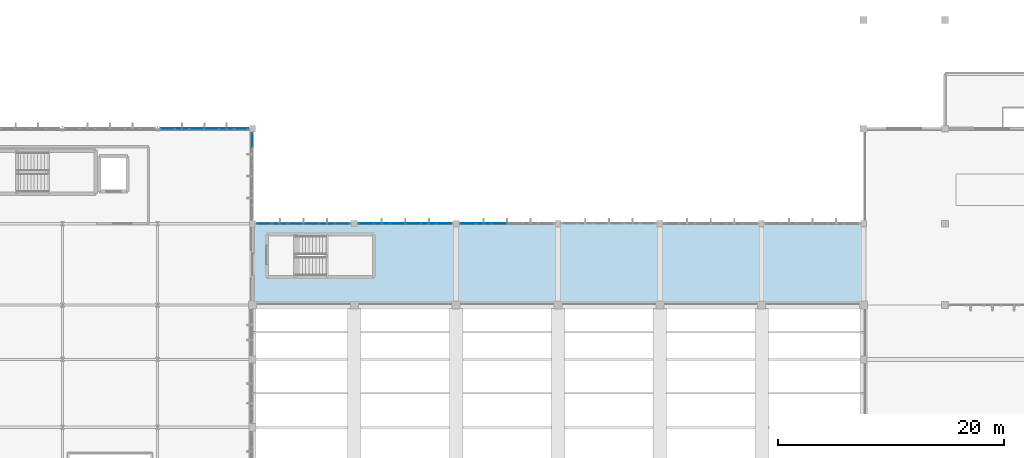
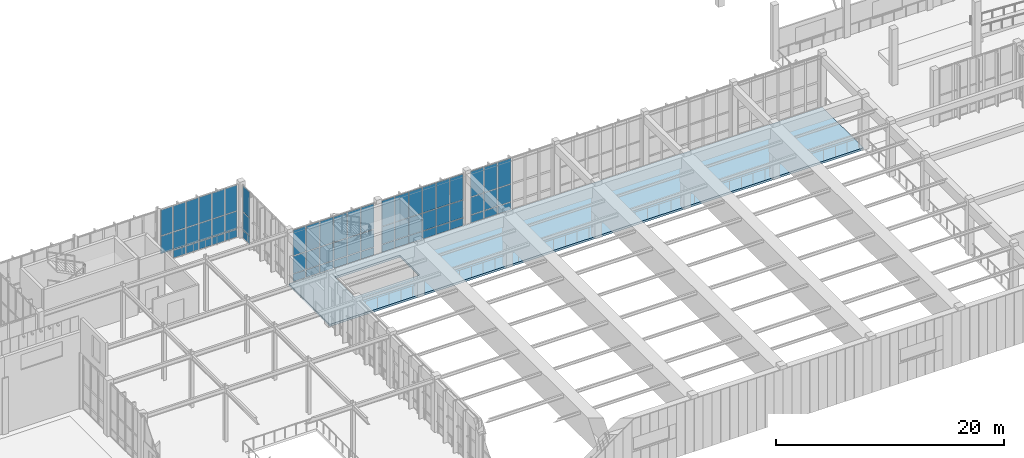
# One storey, part 63 of 105: 65 plates, 1 slab, 5 elements without a shape of their own.
"""IFC4 building model written with IfcOpenShell, lengths in metres."""

from ifc_helpers import new_model, si_unit, direction, frame, origin, origin_2d, place, context, subcontext, project, spatial, polyline, rectangle, outline, extrude, material, layer, layer_set, type_object, element, aggregate, save


model = new_model("IFC4")

# Units and contexts
model_context = context("Model", 3, precision=1e-05, world=origin(), true_north=direction((0.0, 1.0)))
body_context = subcontext(model_context, "Body", "Model", "MODEL_VIEW")
ifc_project = project(units=[si_unit("LENGTHUNIT", "METRE"), si_unit("AREAUNIT", "SQUARE_METRE"), si_unit("VOLUMEUNIT", "CUBIC_METRE"), si_unit("PLANEANGLEUNIT", "RADIAN"), si_unit("MASSUNIT", "GRAM", prefix="KILO")], contexts=[model_context])

# Site, building, storey
site_placement = place(None, origin())
site = spatial("IfcSite", under=ifc_project, at=site_placement, CompositionType="ELEMENT")
building_placement = place(site_placement, origin())
building = spatial("IfcBuilding", under=site, at=building_placement, Name="Tizgana Railside Sports Hall", CompositionType="ELEMENT")
storey_placement = place(building_placement, frame((0.0, 0.0, 6.0)))
storey = spatial("IfcBuildingStorey", under=building, at=storey_placement, Name="L01", CompositionType="ELEMENT", Elevation=6.0)

# Curtain wall, plates
ifc_material_1 = material(Name="Anodised aluminium and glass", Category="aluminium")
curtain_wall_type_1 = type_object("IfcCurtainWallType", Name="Unitised Curtain Wall Passage 1800", PredefinedType="NOTDEFINED", material=ifc_material_1)
curtain_wall_1_placement = place(storey_placement, origin())
curtain_wall_1 = element("IfcCurtainWall", 1, at=curtain_wall_1_placement, inside=storey, type_object=curtain_wall_type_1, Name="L01 Curtain Wall CW-0021", PredefinedType="NOTDEFINED")
ifc_material_2 = material(Name="Double low-E laminated glass", Category="glass")
ifc_layer_1 = layer(ifc_material_2, 0.033935546875, Name="Double low-E laminated glass")
ifc_layer_set_1 = layer_set([ifc_layer_1], Name="Double low-E laminated glass")
plate_type_1 = type_object("IfcPlateType", Name="Acoustic Laminated Glazing Panel 34", PredefinedType="CURTAIN_PANEL", material=ifc_layer_set_1)
plate_1_placement = place(storey_placement, frame((98.84130859375, 80.39990234375, 0.06494140625), z_axis=(0.0, 0.0, 1.0), x_axis=(1.0, 0.0, 0.0)))
plate_1 = element("IfcPlate", 2, at=plate_1_placement, type_object=plate_type_1, Name="CW-06 panel 1.1", PredefinedType="CURTAIN_PANEL", context=body_context, shape_type="SweptSolid", body=[
    extrude(rectangle(XDim=1.29248046875, YDim=0.033935546875, at=origin_2d()), origin(), (0.0, 0.0, 1.0), 0.802490234375),
])
plate_2_placement = place(storey_placement, frame((98.84130859375, 80.39990234375, 0.9326171875), z_axis=(0.0, 0.0, 1.0), x_axis=(1.0, 0.0, 0.0)))
plate_2 = element("IfcPlate", 3, at=plate_2_placement, type_object=plate_type_1, Name="CW-06 panel 1.2", PredefinedType="CURTAIN_PANEL", context=body_context, shape_type="SweptSolid", body=[
    extrude(rectangle(XDim=1.29248046875, YDim=0.033935546875, at=origin_2d()), origin(), (0.0, 0.0, 1.0), 1.85498046875),
])
plate_3_placement = place(storey_placement, frame((98.84130859375, 80.39990234375, 2.8525390625), z_axis=(0.0, 0.0, 1.0), x_axis=(1.0, 0.0, 0.0)))
plate_3 = element("IfcPlate", 4, at=plate_3_placement, type_object=plate_type_1, Name="CW-06 panel 1.3", PredefinedType="CURTAIN_PANEL", context=body_context, shape_type="SweptSolid", body=[
    extrude(rectangle(XDim=1.29248046875, YDim=0.033935546875, at=origin_2d()), origin(), (0.0, 0.0, 1.0), 2.722412109375),
])
plate_4_placement = place(storey_placement, frame((100.215087890625, 80.39990234375, 0.06494140625), z_axis=(0.0, 0.0, 1.0), x_axis=(1.0, 0.0, 0.0)))
plate_4 = element("IfcPlate", 5, at=plate_4_placement, type_object=plate_type_1, Name="CW-06 panel 2.1", PredefinedType="CURTAIN_PANEL", context=body_context, shape_type="SweptSolid", body=[
    extrude(rectangle(XDim=1.324951171875, YDim=0.033935546875, at=origin_2d()), origin(), (0.0, 0.0, 1.0), 0.802490234375),
])
plate_5_placement = place(storey_placement, frame((100.215087890625, 80.39990234375, 0.9326171875), z_axis=(0.0, 0.0, 1.0), x_axis=(1.0, 0.0, 0.0)))
plate_5 = element("IfcPlate", 6, at=plate_5_placement, type_object=plate_type_1, Name="CW-06 panel 2.2", PredefinedType="CURTAIN_PANEL", context=body_context, shape_type="SweptSolid", body=[
    extrude(rectangle(XDim=1.324951171875, YDim=0.033935546875, at=origin_2d()), origin(), (0.0, 0.0, 1.0), 1.85498046875),
])
plate_6_placement = place(storey_placement, frame((100.215087890625, 80.39990234375, 2.8525390625), z_axis=(0.0, 0.0, 1.0), x_axis=(1.0, 0.0, 0.0)))
plate_6 = element("IfcPlate", 7, at=plate_6_placement, type_object=plate_type_1, Name="CW-06 panel 2.3", PredefinedType="CURTAIN_PANEL", context=body_context, shape_type="SweptSolid", body=[
    extrude(rectangle(XDim=1.324951171875, YDim=0.033935546875, at=origin_2d()), origin(), (0.0, 0.0, 1.0), 2.722412109375),
])
plate_7_placement = place(storey_placement, frame((101.60498046875, 80.39990234375, 0.06494140625), z_axis=(0.0, 0.0, 1.0), x_axis=(1.0, 0.0, 0.0)))
plate_7 = element("IfcPlate", 8, at=plate_7_placement, type_object=plate_type_1, Name="CW-06 panel 3.1", PredefinedType="CURTAIN_PANEL", context=body_context, shape_type="SweptSolid", body=[
    extrude(rectangle(XDim=1.324951171875, YDim=0.033935546875, at=origin_2d()), origin(), (0.0, 0.0, 1.0), 0.802490234375),
])
plate_8_placement = place(storey_placement, frame((101.60498046875, 80.39990234375, 0.9326171875), z_axis=(0.0, 0.0, 1.0), x_axis=(1.0, 0.0, 0.0)))
plate_8 = element("IfcPlate", 9, at=plate_8_placement, type_object=plate_type_1, Name="CW-06 panel 3.2", PredefinedType="CURTAIN_PANEL", context=body_context, shape_type="SweptSolid", body=[
    extrude(rectangle(XDim=1.324951171875, YDim=0.033935546875, at=origin_2d()), origin(), (0.0, 0.0, 1.0), 1.85498046875),
])
plate_9_placement = place(storey_placement, frame((101.60498046875, 80.39990234375, 2.8525390625), z_axis=(0.0, 0.0, 1.0), x_axis=(1.0, 0.0, 0.0)))
plate_9 = element("IfcPlate", 10, at=plate_9_placement, type_object=plate_type_1, Name="CW-06 panel 3.3", PredefinedType="CURTAIN_PANEL", context=body_context, shape_type="SweptSolid", body=[
    extrude(rectangle(XDim=1.324951171875, YDim=0.033935546875, at=origin_2d()), origin(), (0.0, 0.0, 1.0), 2.722412109375),
])
aggregate(curtain_wall_1, [plate_1, plate_2, plate_3, plate_4, plate_5, plate_6, plate_7, plate_8, plate_9])

curtain_wall_type_2 = type_object("IfcCurtainWallType", Name="Unitised Curtain Wall Foyer 1300", PredefinedType="NOTDEFINED", material=ifc_material_1)
curtain_wall_2_placement = place(storey_placement, origin())
curtain_wall_2 = element("IfcCurtainWall", 11, at=curtain_wall_2_placement, inside=storey, type_object=curtain_wall_type_2, Name="L01 Curtain Wall CW-0169", PredefinedType="NOTDEFINED")
plate_10_placement = place(storey_placement, frame((79.800048828125, 87.81005859375, 0.06005859375), z_axis=(0.0, 0.0, 1.0), x_axis=(0.0, 1.0, 0.0)))
plate_10 = element("IfcPlate", 12, at=plate_10_placement, type_object=plate_type_1, Name="CW-02 panel 6.1", PredefinedType="CURTAIN_PANEL", context=body_context, shape_type="SweptSolid", body=[
    extrude(rectangle(XDim=1.199951171875, YDim=0.033935546875, at=origin_2d()), origin(), (0.0, 0.0, 1.0), 0.81005859375),
])
plate_11_placement = place(storey_placement, frame((79.800048828125, 87.81005859375, 0.93017578125), z_axis=(0.0, 0.0, 1.0), x_axis=(0.0, 1.0, 0.0)))
plate_11 = element("IfcPlate", 13, at=plate_11_placement, type_object=plate_type_1, Name="CW-02 panel 6.2", PredefinedType="CURTAIN_PANEL", context=body_context, shape_type="SweptSolid", body=[
    extrude(rectangle(XDim=1.199951171875, YDim=0.033935546875, at=origin_2d()), origin(), (0.0, 0.0, 1.0), 1.885009765625),
])
plate_12_placement = place(storey_placement, frame((79.800048828125, 87.81005859375, 2.875), z_axis=(0.0, 0.0, 1.0), x_axis=(0.0, 1.0, 0.0)))
plate_12 = element("IfcPlate", 14, at=plate_12_placement, type_object=plate_type_1, Name="CW-02 panel 6.3", PredefinedType="CURTAIN_PANEL", context=body_context, shape_type="SweptSolid", body=[
    extrude(rectangle(XDim=1.199951171875, YDim=0.033935546875, at=origin_2d()), origin(), (0.0, 0.0, 1.0), 2.7548828125),
])
aggregate(curtain_wall_2, [plate_10, plate_11, plate_12])

curtain_wall_type_3 = type_object("IfcCurtainWallType", Name="Unitised Curtain Wall Studio 1400", PredefinedType="NOTDEFINED", material=ifc_material_1)
curtain_wall_3_placement = place(storey_placement, origin())
curtain_wall_3 = element("IfcCurtainWall", 15, at=curtain_wall_3_placement, inside=storey, type_object=curtain_wall_type_3, Name="L01 Curtain Wall CW-0018", PredefinedType="NOTDEFINED")
ifc_layer_2 = layer(ifc_material_2, 0.0400390625, Name="Double low-E laminated glass")
ifc_layer_set_2 = layer_set([ifc_layer_2], Name="Double low-E laminated glass")
plate_type_2 = type_object("IfcPlateType", Name="High-Span Tempered Glazing Panel 40", PredefinedType="CURTAIN_PANEL", material=ifc_layer_set_2)
plate_13_placement = place(storey_placement, frame((89.840087890625, 80.39990234375, 0.06005859375), z_axis=(0.0, 0.0, 1.0), x_axis=(1.0, 0.0, 0.0)))
plate_13 = element("IfcPlate", 16, at=plate_13_placement, type_object=plate_type_2, Name="CW-03 panel 1.1", PredefinedType="CURTAIN_PANEL", context=body_context, shape_type="SweptSolid", body=[
    extrude(rectangle(XDim=1.300048828125, YDim=0.0400390625, at=origin_2d()), origin(), (0.0, 0.0, 1.0), 0.81005859375),
])
plate_14_placement = place(storey_placement, frame((89.840087890625, 80.39990234375, 0.93017578125), z_axis=(0.0, 0.0, 1.0), x_axis=(1.0, 0.0, 0.0)))
plate_14 = element("IfcPlate", 17, at=plate_14_placement, type_object=plate_type_2, Name="CW-03 panel 1.2", PredefinedType="CURTAIN_PANEL", context=body_context, shape_type="SweptSolid", body=[
    extrude(rectangle(XDim=1.300048828125, YDim=0.0400390625, at=origin_2d()), origin(), (0.0, 0.0, 1.0), 1.860107421875),
])
plate_15_placement = place(storey_placement, frame((89.840087890625, 80.39990234375, 2.85009765625), z_axis=(0.0, 0.0, 1.0), x_axis=(1.0, 0.0, 0.0)))
plate_15 = element("IfcPlate", 18, at=plate_15_placement, type_object=plate_type_2, Name="CW-03 panel 1.3", PredefinedType="CURTAIN_PANEL", context=body_context, shape_type="SweptSolid", body=[
    extrude(rectangle(XDim=1.300048828125, YDim=0.0400390625, at=origin_2d()), origin(), (0.0, 0.0, 1.0), 2.72998046875),
])
plate_16_placement = place(storey_placement, frame((91.215087890625, 80.39990234375, 0.06005859375), z_axis=(0.0, 0.0, 1.0), x_axis=(1.0, 0.0, 0.0)))
plate_16 = element("IfcPlate", 19, at=plate_16_placement, type_object=plate_type_2, Name="CW-03 panel 2.1", PredefinedType="CURTAIN_PANEL", context=body_context, shape_type="SweptSolid", body=[
    extrude(rectangle(XDim=1.330078125, YDim=0.0400390625, at=origin_2d()), origin(), (0.0, 0.0, 1.0), 0.81005859375),
])
plate_17_placement = place(storey_placement, frame((91.215087890625, 80.39990234375, 0.93017578125), z_axis=(0.0, 0.0, 1.0), x_axis=(1.0, 0.0, 0.0)))
plate_17 = element("IfcPlate", 20, at=plate_17_placement, type_object=plate_type_2, Name="CW-03 panel 2.2", PredefinedType="CURTAIN_PANEL", context=body_context, shape_type="SweptSolid", body=[
    extrude(rectangle(XDim=1.330078125, YDim=0.0400390625, at=origin_2d()), origin(), (0.0, 0.0, 1.0), 1.860107421875),
])
plate_18_placement = place(storey_placement, frame((91.215087890625, 80.39990234375, 2.85009765625), z_axis=(0.0, 0.0, 1.0), x_axis=(1.0, 0.0, 0.0)))
plate_18 = element("IfcPlate", 21, at=plate_18_placement, type_object=plate_type_2, Name="CW-03 panel 2.3", PredefinedType="CURTAIN_PANEL", context=body_context, shape_type="SweptSolid", body=[
    extrude(rectangle(XDim=1.330078125, YDim=0.0400390625, at=origin_2d()), origin(), (0.0, 0.0, 1.0), 2.72998046875),
])
plate_19_placement = place(storey_placement, frame((92.60498046875, 80.39990234375, 0.06005859375), z_axis=(0.0, 0.0, 1.0), x_axis=(1.0, 0.0, 0.0)))
plate_19 = element("IfcPlate", 22, at=plate_19_placement, type_object=plate_type_2, Name="CW-03 panel 3.1", PredefinedType="CURTAIN_PANEL", context=body_context, shape_type="SweptSolid", body=[
    extrude(rectangle(XDim=1.330078125, YDim=0.0400390625, at=origin_2d()), origin(), (0.0, 0.0, 1.0), 0.81005859375),
])
plate_20_placement = place(storey_placement, frame((92.60498046875, 80.39990234375, 0.93017578125), z_axis=(0.0, 0.0, 1.0), x_axis=(1.0, 0.0, 0.0)))
plate_20 = element("IfcPlate", 23, at=plate_20_placement, type_object=plate_type_2, Name="CW-03 panel 3.2", PredefinedType="CURTAIN_PANEL", context=body_context, shape_type="SweptSolid", body=[
    extrude(rectangle(XDim=1.330078125, YDim=0.0400390625, at=origin_2d()), origin(), (0.0, 0.0, 1.0), 1.860107421875),
])
plate_21_placement = place(storey_placement, frame((92.60498046875, 80.39990234375, 2.85009765625), z_axis=(0.0, 0.0, 1.0), x_axis=(1.0, 0.0, 0.0)))
plate_21 = element("IfcPlate", 24, at=plate_21_placement, type_object=plate_type_2, Name="CW-03 panel 3.3", PredefinedType="CURTAIN_PANEL", context=body_context, shape_type="SweptSolid", body=[
    extrude(rectangle(XDim=1.330078125, YDim=0.0400390625, at=origin_2d()), origin(), (0.0, 0.0, 1.0), 2.72998046875),
])
plate_22_placement = place(storey_placement, frame((93.9951171875, 80.39990234375, 0.06005859375), z_axis=(0.0, 0.0, 1.0), x_axis=(1.0, 0.0, 0.0)))
plate_22 = element("IfcPlate", 25, at=plate_22_placement, type_object=plate_type_2, Name="CW-03 panel 4.1", PredefinedType="CURTAIN_PANEL", context=body_context, shape_type="SweptSolid", body=[
    extrude(rectangle(XDim=1.330078125, YDim=0.0400390625, at=origin_2d()), origin(), (0.0, 0.0, 1.0), 0.81005859375),
])
plate_23_placement = place(storey_placement, frame((93.9951171875, 80.39990234375, 0.93017578125), z_axis=(0.0, 0.0, 1.0), x_axis=(1.0, 0.0, 0.0)))
plate_23 = element("IfcPlate", 26, at=plate_23_placement, type_object=plate_type_2, Name="CW-03 panel 4.2", PredefinedType="CURTAIN_PANEL", context=body_context, shape_type="SweptSolid", body=[
    extrude(rectangle(XDim=1.330078125, YDim=0.0400390625, at=origin_2d()), origin(), (0.0, 0.0, 1.0), 1.860107421875),
])
plate_24_placement = place(storey_placement, frame((93.9951171875, 80.39990234375, 2.85009765625), z_axis=(0.0, 0.0, 1.0), x_axis=(1.0, 0.0, 0.0)))
plate_24 = element("IfcPlate", 27, at=plate_24_placement, type_object=plate_type_2, Name="CW-03 panel 4.3", PredefinedType="CURTAIN_PANEL", context=body_context, shape_type="SweptSolid", body=[
    extrude(rectangle(XDim=1.330078125, YDim=0.0400390625, at=origin_2d()), origin(), (0.0, 0.0, 1.0), 2.72998046875),
])
plate_25_placement = place(storey_placement, frame((95.385009765625, 80.39990234375, 0.06005859375), z_axis=(0.0, 0.0, 1.0), x_axis=(1.0, 0.0, 0.0)))
plate_25 = element("IfcPlate", 28, at=plate_25_placement, type_object=plate_type_2, Name="CW-03 panel 5.1", PredefinedType="CURTAIN_PANEL", context=body_context, shape_type="SweptSolid", body=[
    extrude(rectangle(XDim=1.330078125, YDim=0.0400390625, at=origin_2d()), origin(), (0.0, 0.0, 1.0), 0.81005859375),
])
plate_26_placement = place(storey_placement, frame((95.385009765625, 80.39990234375, 0.93017578125), z_axis=(0.0, 0.0, 1.0), x_axis=(1.0, 0.0, 0.0)))
plate_26 = element("IfcPlate", 29, at=plate_26_placement, type_object=plate_type_2, Name="CW-03 panel 5.2", PredefinedType="CURTAIN_PANEL", context=body_context, shape_type="SweptSolid", body=[
    extrude(rectangle(XDim=1.330078125, YDim=0.0400390625, at=origin_2d()), origin(), (0.0, 0.0, 1.0), 1.860107421875),
])
plate_27_placement = place(storey_placement, frame((95.385009765625, 80.39990234375, 2.85009765625), z_axis=(0.0, 0.0, 1.0), x_axis=(1.0, 0.0, 0.0)))
plate_27 = element("IfcPlate", 30, at=plate_27_placement, type_object=plate_type_2, Name="CW-03 panel 5.3", PredefinedType="CURTAIN_PANEL", context=body_context, shape_type="SweptSolid", body=[
    extrude(rectangle(XDim=1.330078125, YDim=0.0400390625, at=origin_2d()), origin(), (0.0, 0.0, 1.0), 2.72998046875),
])
plate_28_placement = place(storey_placement, frame((96.760009765625, 80.39990234375, 0.06005859375), z_axis=(0.0, 0.0, 1.0), x_axis=(1.0, 0.0, 0.0)))
plate_28 = element("IfcPlate", 31, at=plate_28_placement, type_object=plate_type_2, Name="CW-03 panel 6.1", PredefinedType="CURTAIN_PANEL", context=body_context, shape_type="SweptSolid", body=[
    extrude(rectangle(XDim=1.300048828125, YDim=0.0400390625, at=origin_2d()), origin(), (0.0, 0.0, 1.0), 0.81005859375),
])
plate_29_placement = place(storey_placement, frame((96.760009765625, 80.39990234375, 0.93017578125), z_axis=(0.0, 0.0, 1.0), x_axis=(1.0, 0.0, 0.0)))
plate_29 = element("IfcPlate", 32, at=plate_29_placement, type_object=plate_type_2, Name="CW-03 panel 6.2", PredefinedType="CURTAIN_PANEL", context=body_context, shape_type="SweptSolid", body=[
    extrude(rectangle(XDim=1.300048828125, YDim=0.0400390625, at=origin_2d()), origin(), (0.0, 0.0, 1.0), 1.860107421875),
])
plate_30_placement = place(storey_placement, frame((96.760009765625, 80.39990234375, 2.85009765625), z_axis=(0.0, 0.0, 1.0), x_axis=(1.0, 0.0, 0.0)))
plate_30 = element("IfcPlate", 33, at=plate_30_placement, type_object=plate_type_2, Name="CW-03 panel 6.3", PredefinedType="CURTAIN_PANEL", context=body_context, shape_type="SweptSolid", body=[
    extrude(rectangle(XDim=1.300048828125, YDim=0.0400390625, at=origin_2d()), origin(), (0.0, 0.0, 1.0), 2.72998046875),
])
aggregate(curtain_wall_3, [plate_13, plate_14, plate_15, plate_16, plate_17, plate_18, plate_19, plate_20, plate_21, plate_22, plate_23, plate_24, plate_25, plate_26, plate_27, plate_28, plate_29, plate_30])

curtain_wall_type_4 = type_object("IfcCurtainWallType", Name="Unitised Curtain Wall EastHall 1500", PredefinedType="NOTDEFINED", material=ifc_material_1)
curtain_wall_4_placement = place(storey_placement, origin())
curtain_wall_4 = element("IfcCurtainWall", 34, at=curtain_wall_4_placement, inside=storey, type_object=curtain_wall_type_4, Name="L01 Curtain Wall CW-0039", PredefinedType="NOTDEFINED")
ifc_layer_3 = layer(ifc_material_2, 0.031982421875, Name="Double low-E laminated glass")
ifc_layer_set_3 = layer_set([ifc_layer_3], Name="Double low-E laminated glass")
plate_type_3 = type_object("IfcPlateType", Name="North-Light Clerestory Glazing Panel 32", PredefinedType="CURTAIN_PANEL", material=ifc_layer_set_3)
plate_31_placement = place(storey_placement, frame((72.276611328125, 88.800048828125, 0.9326171875), z_axis=(0.0, 0.0, 1.0), x_axis=(1.0, 0.0, 0.0)))
plate_31 = element("IfcPlate", 35, at=plate_31_placement, type_object=plate_type_3, Name="CW-08 panel 1.2", PredefinedType="CURTAIN_PANEL", context=body_context, shape_type="SweptSolid", body=[
    extrude(rectangle(XDim=1.21337890625, YDim=0.031982421875, at=origin_2d()), origin(), (0.0, 0.0, 1.0), 1.8798828125),
])
plate_32_placement = place(storey_placement, frame((72.276611328125, 88.800048828125, 2.87744140625), z_axis=(0.0, 0.0, 1.0), x_axis=(1.0, 0.0, 0.0)))
plate_32 = element("IfcPlate", 36, at=plate_32_placement, type_object=plate_type_3, Name="CW-08 panel 1.3", PredefinedType="CURTAIN_PANEL", context=body_context, shape_type="SweptSolid", body=[
    extrude(rectangle(XDim=1.21337890625, YDim=0.031982421875, at=origin_2d()), origin(), (0.0, 0.0, 1.0), 2.74755859375),
])
plate_33_placement = place(storey_placement, frame((73.5712890625, 88.800048828125, 0.06494140625), z_axis=(0.0, 0.0, 1.0), x_axis=(1.0, 0.0, 0.0)))
plate_33 = element("IfcPlate", 37, at=plate_33_placement, type_object=plate_type_3, Name="CW-08 panel 2.1", PredefinedType="CURTAIN_PANEL", context=body_context, shape_type="SweptSolid", body=[
    extrude(rectangle(XDim=1.245849609375, YDim=0.031982421875, at=origin_2d()), origin(), (0.0, 0.0, 1.0), 0.802490234375),
])
plate_34_placement = place(storey_placement, frame((73.5712890625, 88.800048828125, 0.9326171875), z_axis=(0.0, 0.0, 1.0), x_axis=(1.0, 0.0, 0.0)))
plate_34 = element("IfcPlate", 38, at=plate_34_placement, type_object=plate_type_3, Name="CW-08 panel 2.2", PredefinedType="CURTAIN_PANEL", context=body_context, shape_type="SweptSolid", body=[
    extrude(rectangle(XDim=1.245849609375, YDim=0.031982421875, at=origin_2d()), origin(), (0.0, 0.0, 1.0), 1.8798828125),
])
plate_35_placement = place(storey_placement, frame((73.5712890625, 88.800048828125, 2.87744140625), z_axis=(0.0, 0.0, 1.0), x_axis=(1.0, 0.0, 0.0)))
plate_35 = element("IfcPlate", 39, at=plate_35_placement, type_object=plate_type_3, Name="CW-08 panel 2.3", PredefinedType="CURTAIN_PANEL", context=body_context, shape_type="SweptSolid", body=[
    extrude(rectangle(XDim=1.245849609375, YDim=0.031982421875, at=origin_2d()), origin(), (0.0, 0.0, 1.0), 2.74755859375),
])
plate_36_placement = place(storey_placement, frame((74.882080078125, 88.800048828125, 0.06494140625), z_axis=(0.0, 0.0, 1.0), x_axis=(1.0, 0.0, 0.0)))
plate_36 = element("IfcPlate", 40, at=plate_36_placement, type_object=plate_type_3, Name="CW-08 panel 3.1", PredefinedType="CURTAIN_PANEL", context=body_context, shape_type="SweptSolid", body=[
    extrude(rectangle(XDim=1.245849609375, YDim=0.031982421875, at=origin_2d()), origin(), (0.0, 0.0, 1.0), 0.802490234375),
])
plate_37_placement = place(storey_placement, frame((74.882080078125, 88.800048828125, 0.9326171875), z_axis=(0.0, 0.0, 1.0), x_axis=(1.0, 0.0, 0.0)))
plate_37 = element("IfcPlate", 41, at=plate_37_placement, type_object=plate_type_3, Name="CW-08 panel 3.2", PredefinedType="CURTAIN_PANEL", context=body_context, shape_type="SweptSolid", body=[
    extrude(rectangle(XDim=1.245849609375, YDim=0.031982421875, at=origin_2d()), origin(), (0.0, 0.0, 1.0), 1.8798828125),
])
plate_38_placement = place(storey_placement, frame((74.882080078125, 88.800048828125, 2.87744140625), z_axis=(0.0, 0.0, 1.0), x_axis=(1.0, 0.0, 0.0)))
plate_38 = element("IfcPlate", 42, at=plate_38_placement, type_object=plate_type_3, Name="CW-08 panel 3.3", PredefinedType="CURTAIN_PANEL", context=body_context, shape_type="SweptSolid", body=[
    extrude(rectangle(XDim=1.245849609375, YDim=0.031982421875, at=origin_2d()), origin(), (0.0, 0.0, 1.0), 2.74755859375),
])
plate_39_placement = place(storey_placement, frame((76.19287109375, 88.800048828125, 0.06494140625), z_axis=(0.0, 0.0, 1.0), x_axis=(1.0, 0.0, 0.0)))
plate_39 = element("IfcPlate", 43, at=plate_39_placement, type_object=plate_type_3, Name="CW-08 panel 4.1", PredefinedType="CURTAIN_PANEL", context=body_context, shape_type="SweptSolid", body=[
    extrude(rectangle(XDim=1.245849609375, YDim=0.031982421875, at=origin_2d()), origin(), (0.0, 0.0, 1.0), 0.802490234375),
])
plate_40_placement = place(storey_placement, frame((76.19287109375, 88.800048828125, 0.9326171875), z_axis=(0.0, 0.0, 1.0), x_axis=(1.0, 0.0, 0.0)))
plate_40 = element("IfcPlate", 44, at=plate_40_placement, type_object=plate_type_3, Name="CW-08 panel 4.2", PredefinedType="CURTAIN_PANEL", context=body_context, shape_type="SweptSolid", body=[
    extrude(rectangle(XDim=1.245849609375, YDim=0.031982421875, at=origin_2d()), origin(), (0.0, 0.0, 1.0), 1.8798828125),
])
plate_41_placement = place(storey_placement, frame((76.19287109375, 88.800048828125, 2.87744140625), z_axis=(0.0, 0.0, 1.0), x_axis=(1.0, 0.0, 0.0)))
plate_41 = element("IfcPlate", 45, at=plate_41_placement, type_object=plate_type_3, Name="CW-08 panel 4.3", PredefinedType="CURTAIN_PANEL", context=body_context, shape_type="SweptSolid", body=[
    extrude(rectangle(XDim=1.245849609375, YDim=0.031982421875, at=origin_2d()), origin(), (0.0, 0.0, 1.0), 2.74755859375),
])
plate_42_placement = place(storey_placement, frame((77.503662109375, 88.800048828125, 0.06494140625), z_axis=(0.0, 0.0, 1.0), x_axis=(1.0, 0.0, 0.0)))
plate_42 = element("IfcPlate", 46, at=plate_42_placement, type_object=plate_type_3, Name="CW-08 panel 5.1", PredefinedType="CURTAIN_PANEL", context=body_context, shape_type="SweptSolid", body=[
    extrude(rectangle(XDim=1.245849609375, YDim=0.031982421875, at=origin_2d()), origin(), (0.0, 0.0, 1.0), 0.802490234375),
])
plate_43_placement = place(storey_placement, frame((77.503662109375, 88.800048828125, 0.9326171875), z_axis=(0.0, 0.0, 1.0), x_axis=(1.0, 0.0, 0.0)))
plate_43 = element("IfcPlate", 47, at=plate_43_placement, type_object=plate_type_3, Name="CW-08 panel 5.2", PredefinedType="CURTAIN_PANEL", context=body_context, shape_type="SweptSolid", body=[
    extrude(rectangle(XDim=1.245849609375, YDim=0.031982421875, at=origin_2d()), origin(), (0.0, 0.0, 1.0), 1.8798828125),
])
plate_44_placement = place(storey_placement, frame((77.503662109375, 88.800048828125, 2.87744140625), z_axis=(0.0, 0.0, 1.0), x_axis=(1.0, 0.0, 0.0)))
plate_44 = element("IfcPlate", 48, at=plate_44_placement, type_object=plate_type_3, Name="CW-08 panel 5.3", PredefinedType="CURTAIN_PANEL", context=body_context, shape_type="SweptSolid", body=[
    extrude(rectangle(XDim=1.245849609375, YDim=0.031982421875, at=origin_2d()), origin(), (0.0, 0.0, 1.0), 2.74755859375),
])
plate_45_placement = place(storey_placement, frame((78.79833984375, 88.800048828125, 0.06494140625), z_axis=(0.0, 0.0, 1.0), x_axis=(1.0, 0.0, 0.0)))
plate_45 = element("IfcPlate", 49, at=plate_45_placement, type_object=plate_type_3, Name="CW-08 panel 6.1", PredefinedType="CURTAIN_PANEL", context=body_context, shape_type="SweptSolid", body=[
    extrude(rectangle(XDim=1.21337890625, YDim=0.031982421875, at=origin_2d()), origin(), (0.0, 0.0, 1.0), 0.802490234375),
])
plate_46_placement = place(storey_placement, frame((78.79833984375, 88.800048828125, 0.9326171875), z_axis=(0.0, 0.0, 1.0), x_axis=(1.0, 0.0, 0.0)))
plate_46 = element("IfcPlate", 50, at=plate_46_placement, type_object=plate_type_3, Name="CW-08 panel 6.2", PredefinedType="CURTAIN_PANEL", context=body_context, shape_type="SweptSolid", body=[
    extrude(rectangle(XDim=1.21337890625, YDim=0.031982421875, at=origin_2d()), origin(), (0.0, 0.0, 1.0), 1.8798828125),
])
plate_47_placement = place(storey_placement, frame((78.79833984375, 88.800048828125, 2.87744140625), z_axis=(0.0, 0.0, 1.0), x_axis=(1.0, 0.0, 0.0)))
plate_47 = element("IfcPlate", 51, at=plate_47_placement, type_object=plate_type_3, Name="CW-08 panel 6.3", PredefinedType="CURTAIN_PANEL", context=body_context, shape_type="SweptSolid", body=[
    extrude(rectangle(XDim=1.21337890625, YDim=0.031982421875, at=origin_2d()), origin(), (0.0, 0.0, 1.0), 2.74755859375),
])
aggregate(curtain_wall_4, [plate_31, plate_32, plate_33, plate_34, plate_35, plate_36, plate_37, plate_38, plate_39, plate_40, plate_41, plate_42, plate_43, plate_44, plate_45, plate_46, plate_47])

curtain_wall_type_5 = type_object("IfcCurtainWallType", Name="Unitised Curtain Wall Concourse 1500", PredefinedType="NOTDEFINED", material=ifc_material_1)
curtain_wall_5_placement = place(storey_placement, origin())
curtain_wall_5 = element("IfcCurtainWall", 52, at=curtain_wall_5_placement, inside=storey, type_object=curtain_wall_type_5, Name="L01 Curtain Wall CW-0016", PredefinedType="NOTDEFINED")
ifc_layer_4 = layer(ifc_material_2, 0.028076171875, Name="Double low-E laminated glass")
ifc_layer_set_4 = layer_set([ifc_layer_4], Name="Double low-E laminated glass")
plate_type_4 = type_object("IfcPlateType", Name="Solar Low-E Glazing Panel 28", PredefinedType="CURTAIN_PANEL", material=ifc_layer_set_4)
plate_48_placement = place(storey_placement, frame((80.842529296875, 80.39990234375, 0.070068359375), z_axis=(0.0, 0.0, 1.0), x_axis=(1.0, 0.0, 0.0)))
plate_48 = element("IfcPlate", 53, at=plate_48_placement, type_object=plate_type_4, Name="CW-01 panel 1.1", PredefinedType="CURTAIN_PANEL", context=body_context, shape_type="SweptSolid", body=[
    extrude(rectangle(XDim=1.284912109375, YDim=0.028076171875, at=origin_2d()), origin(), (0.0, 0.0, 1.0), 0.794921875),
])
plate_49_placement = place(storey_placement, frame((80.842529296875, 80.39990234375, 0.93505859375), z_axis=(0.0, 0.0, 1.0), x_axis=(1.0, 0.0, 0.0)))
plate_49 = element("IfcPlate", 54, at=plate_49_placement, type_object=plate_type_4, Name="CW-01 panel 1.2", PredefinedType="CURTAIN_PANEL", context=body_context, shape_type="SweptSolid", body=[
    extrude(rectangle(XDim=1.284912109375, YDim=0.028076171875, at=origin_2d()), origin(), (0.0, 0.0, 1.0), 1.85009765625),
])
plate_50_placement = place(storey_placement, frame((80.842529296875, 80.39990234375, 2.85498046875), z_axis=(0.0, 0.0, 1.0), x_axis=(1.0, 0.0, 0.0)))
plate_50 = element("IfcPlate", 55, at=plate_50_placement, type_object=plate_type_4, Name="CW-01 panel 1.3", PredefinedType="CURTAIN_PANEL", context=body_context, shape_type="SweptSolid", body=[
    extrude(rectangle(XDim=1.284912109375, YDim=0.028076171875, at=origin_2d()), origin(), (0.0, 0.0, 1.0), 2.715087890625),
])
plate_51_placement = place(storey_placement, frame((82.215087890625, 80.39990234375, 0.070068359375), z_axis=(0.0, 0.0, 1.0), x_axis=(1.0, 0.0, 0.0)))
plate_51 = element("IfcPlate", 56, at=plate_51_placement, type_object=plate_type_4, Name="CW-01 panel 2.1", PredefinedType="CURTAIN_PANEL", context=body_context, shape_type="SweptSolid", body=[
    extrude(rectangle(XDim=1.320068359375, YDim=0.028076171875, at=origin_2d()), origin(), (0.0, 0.0, 1.0), 0.794921875),
])
plate_52_placement = place(storey_placement, frame((82.215087890625, 80.39990234375, 0.93505859375), z_axis=(0.0, 0.0, 1.0), x_axis=(1.0, 0.0, 0.0)))
plate_52 = element("IfcPlate", 57, at=plate_52_placement, type_object=plate_type_4, Name="CW-01 panel 2.2", PredefinedType="CURTAIN_PANEL", context=body_context, shape_type="SweptSolid", body=[
    extrude(rectangle(XDim=1.320068359375, YDim=0.028076171875, at=origin_2d()), origin(), (0.0, 0.0, 1.0), 1.85009765625),
])
plate_53_placement = place(storey_placement, frame((82.215087890625, 80.39990234375, 2.85498046875), z_axis=(0.0, 0.0, 1.0), x_axis=(1.0, 0.0, 0.0)))
plate_53 = element("IfcPlate", 58, at=plate_53_placement, type_object=plate_type_4, Name="CW-01 panel 2.3", PredefinedType="CURTAIN_PANEL", context=body_context, shape_type="SweptSolid", body=[
    extrude(rectangle(XDim=1.320068359375, YDim=0.028076171875, at=origin_2d()), origin(), (0.0, 0.0, 1.0), 2.715087890625),
])
plate_54_placement = place(storey_placement, frame((83.60498046875, 80.39990234375, 0.070068359375), z_axis=(0.0, 0.0, 1.0), x_axis=(1.0, 0.0, 0.0)))
plate_54 = element("IfcPlate", 59, at=plate_54_placement, type_object=plate_type_4, Name="CW-01 panel 3.1", PredefinedType="CURTAIN_PANEL", context=body_context, shape_type="SweptSolid", body=[
    extrude(rectangle(XDim=1.320068359375, YDim=0.028076171875, at=origin_2d()), origin(), (0.0, 0.0, 1.0), 0.794921875),
])
plate_55_placement = place(storey_placement, frame((83.60498046875, 80.39990234375, 0.93505859375), z_axis=(0.0, 0.0, 1.0), x_axis=(1.0, 0.0, 0.0)))
plate_55 = element("IfcPlate", 60, at=plate_55_placement, type_object=plate_type_4, Name="CW-01 panel 3.2", PredefinedType="CURTAIN_PANEL", context=body_context, shape_type="SweptSolid", body=[
    extrude(rectangle(XDim=1.320068359375, YDim=0.028076171875, at=origin_2d()), origin(), (0.0, 0.0, 1.0), 1.85009765625),
])
plate_56_placement = place(storey_placement, frame((83.60498046875, 80.39990234375, 2.85498046875), z_axis=(0.0, 0.0, 1.0), x_axis=(1.0, 0.0, 0.0)))
plate_56 = element("IfcPlate", 61, at=plate_56_placement, type_object=plate_type_4, Name="CW-01 panel 3.3", PredefinedType="CURTAIN_PANEL", context=body_context, shape_type="SweptSolid", body=[
    extrude(rectangle(XDim=1.320068359375, YDim=0.028076171875, at=origin_2d()), origin(), (0.0, 0.0, 1.0), 2.715087890625),
])
plate_57_placement = place(storey_placement, frame((84.9951171875, 80.39990234375, 0.070068359375), z_axis=(0.0, 0.0, 1.0), x_axis=(1.0, 0.0, 0.0)))
plate_57 = element("IfcPlate", 62, at=plate_57_placement, type_object=plate_type_4, Name="CW-01 panel 4.1", PredefinedType="CURTAIN_PANEL", context=body_context, shape_type="SweptSolid", body=[
    extrude(rectangle(XDim=1.320068359375, YDim=0.028076171875, at=origin_2d()), origin(), (0.0, 0.0, 1.0), 0.794921875),
])
plate_58_placement = place(storey_placement, frame((84.9951171875, 80.39990234375, 0.93505859375), z_axis=(0.0, 0.0, 1.0), x_axis=(1.0, 0.0, 0.0)))
plate_58 = element("IfcPlate", 63, at=plate_58_placement, type_object=plate_type_4, Name="CW-01 panel 4.2", PredefinedType="CURTAIN_PANEL", context=body_context, shape_type="SweptSolid", body=[
    extrude(rectangle(XDim=1.320068359375, YDim=0.028076171875, at=origin_2d()), origin(), (0.0, 0.0, 1.0), 1.85009765625),
])
plate_59_placement = place(storey_placement, frame((84.9951171875, 80.39990234375, 2.85498046875), z_axis=(0.0, 0.0, 1.0), x_axis=(1.0, 0.0, 0.0)))
plate_59 = element("IfcPlate", 64, at=plate_59_placement, type_object=plate_type_4, Name="CW-01 panel 4.3", PredefinedType="CURTAIN_PANEL", context=body_context, shape_type="SweptSolid", body=[
    extrude(rectangle(XDim=1.320068359375, YDim=0.028076171875, at=origin_2d()), origin(), (0.0, 0.0, 1.0), 2.715087890625),
])
plate_60_placement = place(storey_placement, frame((86.385009765625, 80.39990234375, 0.070068359375), z_axis=(0.0, 0.0, 1.0), x_axis=(1.0, 0.0, 0.0)))
plate_60 = element("IfcPlate", 65, at=plate_60_placement, type_object=plate_type_4, Name="CW-01 panel 5.1", PredefinedType="CURTAIN_PANEL", context=body_context, shape_type="SweptSolid", body=[
    extrude(rectangle(XDim=1.320068359375, YDim=0.028076171875, at=origin_2d()), origin(), (0.0, 0.0, 1.0), 0.794921875),
])
plate_61_placement = place(storey_placement, frame((86.385009765625, 80.39990234375, 0.93505859375), z_axis=(0.0, 0.0, 1.0), x_axis=(1.0, 0.0, 0.0)))
plate_61 = element("IfcPlate", 66, at=plate_61_placement, type_object=plate_type_4, Name="CW-01 panel 5.2", PredefinedType="CURTAIN_PANEL", context=body_context, shape_type="SweptSolid", body=[
    extrude(rectangle(XDim=1.320068359375, YDim=0.028076171875, at=origin_2d()), origin(), (0.0, 0.0, 1.0), 1.85009765625),
])
plate_62_placement = place(storey_placement, frame((86.385009765625, 80.39990234375, 2.85498046875), z_axis=(0.0, 0.0, 1.0), x_axis=(1.0, 0.0, 0.0)))
plate_62 = element("IfcPlate", 67, at=plate_62_placement, type_object=plate_type_4, Name="CW-01 panel 5.3", PredefinedType="CURTAIN_PANEL", context=body_context, shape_type="SweptSolid", body=[
    extrude(rectangle(XDim=1.320068359375, YDim=0.028076171875, at=origin_2d()), origin(), (0.0, 0.0, 1.0), 2.715087890625),
])
plate_63_placement = place(storey_placement, frame((87.757568359375, 80.39990234375, 0.070068359375), z_axis=(0.0, 0.0, 1.0), x_axis=(1.0, 0.0, 0.0)))
plate_63 = element("IfcPlate", 68, at=plate_63_placement, type_object=plate_type_4, Name="CW-01 panel 6.1", PredefinedType="CURTAIN_PANEL", context=body_context, shape_type="SweptSolid", body=[
    extrude(rectangle(XDim=1.284912109375, YDim=0.028076171875, at=origin_2d()), origin(), (0.0, 0.0, 1.0), 0.794921875),
])
plate_64_placement = place(storey_placement, frame((87.757568359375, 80.39990234375, 0.93505859375), z_axis=(0.0, 0.0, 1.0), x_axis=(1.0, 0.0, 0.0)))
plate_64 = element("IfcPlate", 69, at=plate_64_placement, type_object=plate_type_4, Name="CW-01 panel 6.2", PredefinedType="CURTAIN_PANEL", context=body_context, shape_type="SweptSolid", body=[
    extrude(rectangle(XDim=1.284912109375, YDim=0.028076171875, at=origin_2d()), origin(), (0.0, 0.0, 1.0), 1.85009765625),
])
plate_65_placement = place(storey_placement, frame((87.757568359375, 80.39990234375, 2.85498046875), z_axis=(0.0, 0.0, 1.0), x_axis=(1.0, 0.0, 0.0)))
plate_65 = element("IfcPlate", 70, at=plate_65_placement, type_object=plate_type_4, Name="CW-01 panel 6.3", PredefinedType="CURTAIN_PANEL", context=body_context, shape_type="SweptSolid", body=[
    extrude(rectangle(XDim=1.284912109375, YDim=0.028076171875, at=origin_2d()), origin(), (0.0, 0.0, 1.0), 2.715087890625),
])
aggregate(curtain_wall_5, [plate_48, plate_49, plate_50, plate_51, plate_52, plate_53, plate_54, plate_55, plate_56, plate_57, plate_58, plate_59, plate_60, plate_61, plate_62, plate_63, plate_64, plate_65])

# Slab
ifc_material_3 = material(Name="Concrete C35/45", Category="concrete")
ifc_layer_5 = layer(ifc_material_3, 0.22998046875, Name="Concrete C35/45")
ifc_layer_set_5 = layer_set([ifc_layer_5], Name="Concrete C35/45")
slab_type = type_object("IfcSlabType", Name="Suspended Gallery Floor Slab 230", PredefinedType="FLOOR", material=ifc_layer_set_5)
slab_placement = place(storey_placement, frame((0.0, 0.0, -0.22998046875)))
element("IfcSlab", 71, at=slab_placement, inside=storey, type_object=slab_type, Name="L01 V2 North Mezzanine Slab SLB-0019", PredefinedType="FLOOR", context=body_context, shape_type="SweptSolid", body=[
    extrude(outline(polyline([(79.800048828125, 73.199951171875), (133.800048828125, 73.199951171875), (133.800048828125, 80.39990234375), (79.800048828125, 80.39990234375), (79.800048828125, 73.199951171875)]), holes=[polyline([(83.780029296875, 75.800048828125), (90.39990234375, 75.800048828125), (90.39990234375, 79.300048828125), (83.780029296875, 79.300048828125), (83.780029296875, 75.800048828125)])]), origin(), (0.0, 0.0, 1.0), 0.22998046875),
])

save(model, "model.ifc")
